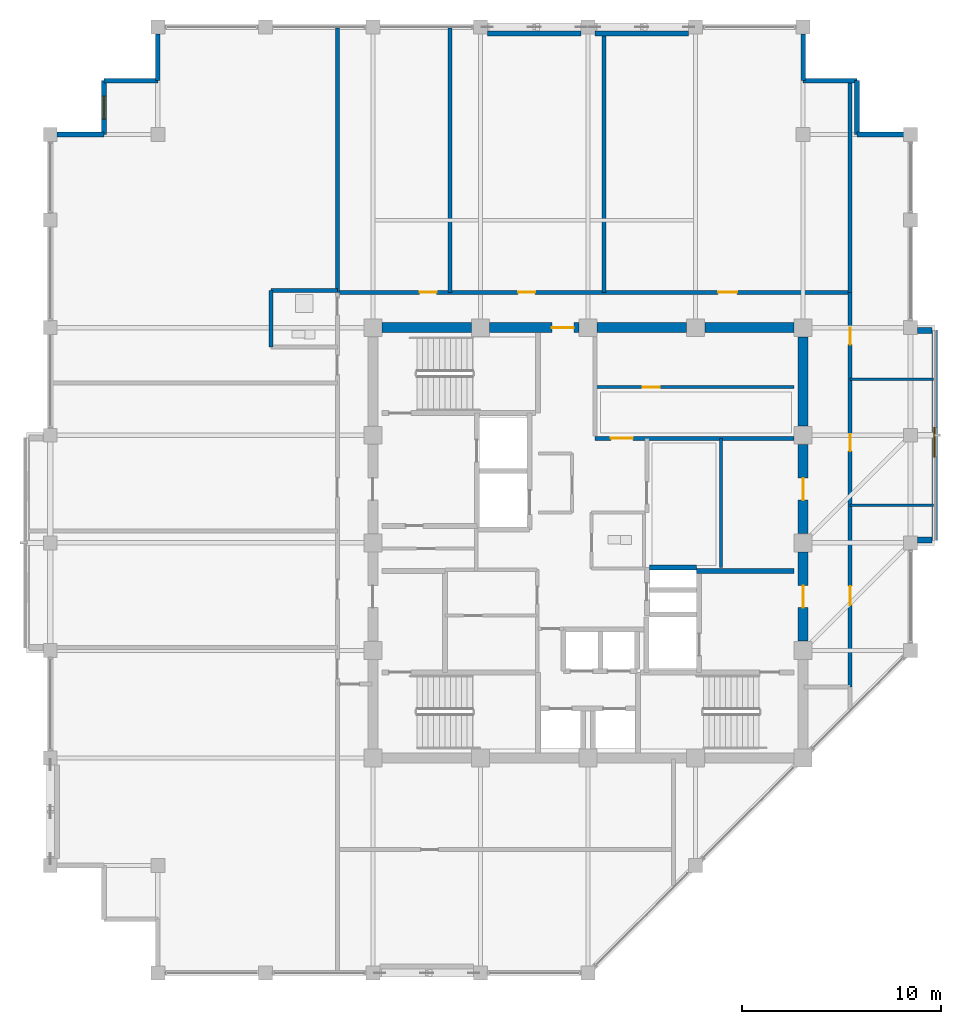
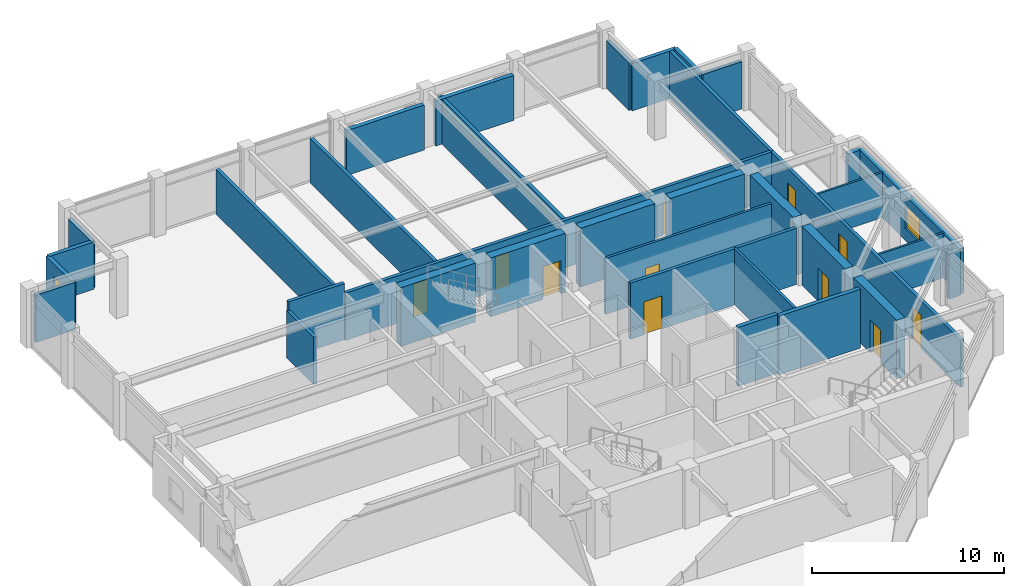
# One storey, part 25 of 29: 35 walls, 11 doors, 2 windows, 13 openings.
"""IFC4 building model written with IfcOpenShell, lengths in metres."""

from ifc_helpers import new_model, si_unit, direction, frame, frame_2d, origin, place, context, subcontext, project, spatial, rectangle, extrude, material, layer, layer_set, type_object, element, fill, save


model = new_model("IFC4")

# Units and contexts
model_context = context("Model", 3, precision=1e-05, world=origin(), true_north=direction((0.0, 1.0)))
body_context = subcontext(model_context, "Body", "Model", "MODEL_VIEW")
ifc_project = project(units=[si_unit("LENGTHUNIT", "METRE"), si_unit("AREAUNIT", "SQUARE_METRE"), si_unit("VOLUMEUNIT", "CUBIC_METRE"), si_unit("PLANEANGLEUNIT", "RADIAN"), si_unit("MASSUNIT", "GRAM", prefix="KILO")], contexts=[model_context])

# Site, building, storey
site_placement = place(None, origin())
site = spatial("IfcSite", under=ifc_project, at=site_placement, CompositionType="ELEMENT")
building_placement = place(site_placement, origin())
building = spatial("IfcBuilding", under=site, at=building_placement, Name="Surkhivell Harbour Commons", CompositionType="ELEMENT")
storey_placement = place(building_placement, frame((0.0, 0.0, 277.5)))
storey = spatial("IfcBuildingStorey", under=building, at=storey_placement, Name="L72", CompositionType="ELEMENT", Elevation=277.5)

# Wall
ifc_material_1 = material(Name="Concrete C50/60", Category="concrete")
ifc_layer_1 = layer(ifc_material_1, 0.5)
ifc_layer_set_1 = layer_set([ifc_layer_1], Name="Concrete C50/60")
wall_type_1 = type_object("IfcWallType", Name="WAL-CORE-500", PredefinedType="SHEAR", material=ifc_layer_set_1)
wall_1_placement = place(storey_placement, frame((-10.340087890625, 10.800048828125, 0.0), z_axis=(0.0, 0.0, 1.0), x_axis=(1.0, 0.0, 0.0)))
element("IfcWall", 1, at=wall_1_placement, inside=storey, type_object=wall_type_1, Name="L72 Core Shear Wall North 1", PredefinedType="SHEAR", context=body_context, shape_type="SweptSolid", body=[
    extrude(rectangle(XDim=4.47998046875, YDim=0.5, at=frame_2d((2.239990234375, 0.0))), origin(), (0.0, 0.0, 1.0), 3.75),
])

# Wall, opening, door
wall_2_placement = place(storey_placement, frame((-4.93994140625, 10.800048828125, 0.0), z_axis=(0.0, 0.0, 1.0), x_axis=(1.0, 0.0, 0.0)))
wall_2 = element("IfcWall", 2, at=wall_2_placement, inside=storey, type_object=wall_type_1, Name="L72 Core Shear Wall North 2", PredefinedType="SHEAR", context=body_context, shape_type="SweptSolid", body=[
    extrude(rectangle(XDim=4.47998046875, YDim=0.5, at=frame_2d((2.239990234375, 0.0))), origin(), (0.0, 0.0, 1.0), 3.75),
])
opening_1_placement = place(wall_2_placement, frame((3.1298828125, 0.0, 0.0)))
opening_1 = element("IfcOpeningElement", 3, at=opening_1_placement, cuts=wall_2, Name="Opening ID-2", PredefinedType="OPENING", context=body_context, shape_type="SweptSolid", body=[
    extrude(rectangle(XDim=1.10009765625, YDim=2.10009765625, at=frame_2d((0.550048828125, 1.050048828125))), frame((0.0, 0.260009765625, 0.0), z_axis=(0.0, -1.0, 0.0), x_axis=(1.0, 0.0, 0.0)), (0.0, 0.0, 1.0), 0.52001953125),
])
ifc_material_2 = material(Name="Hardwood-veneered fire-rated door leaf", Category="wood")
door_type_1 = type_object("IfcDoorType", Name="DOR-FD60-1100", OperationType="NOTDEFINED", PredefinedType="DOOR", material=ifc_material_2)
door_1_placement = place(opening_1_placement, origin())
door_1 = element("IfcDoor", 4, at=door_1_placement, inside=storey, type_object=door_type_1, Name="L72 Central Core Lift Hall North Corridor Door", OperationType="SINGLE_SWING_LEFT", OverallHeight=2.10009765625, OverallWidth=1.10009765625, PredefinedType="DOOR", context=body_context, shape_type="SweptSolid", body=[
    extrude(rectangle(XDim=1.10009765625, YDim=2.10009765625, at=frame_2d((0.550048828125, 1.050048828125))), frame((0.0, 0.02490234375, 0.0), z_axis=(0.0, -1.0, 0.0), x_axis=(1.0, 0.0, 0.0)), (0.0, 0.0, 1.0), 0.050048828125),
])
fill(opening_1, door_1)

wall_3_placement = place(storey_placement, frame((10.800048828125, -4.93994140625, 0.0), z_axis=(0.0, 0.0, 1.0), x_axis=(0.0, 1.0, 0.0)))
wall_3 = element("IfcWall", 5, at=wall_3_placement, inside=storey, type_object=wall_type_1, Name="L72 Core Shear Wall East 2", PredefinedType="SHEAR", context=body_context, shape_type="SweptSolid", body=[
    extrude(rectangle(XDim=4.47998046875, YDim=0.5, at=frame_2d((2.239990234375, 0.0))), origin(), (0.0, 0.0, 1.0), 3.75),
])
opening_2_placement = place(wall_3_placement, frame((1.68994140625, 0.0, 0.0)))
opening_2 = element("IfcOpeningElement", 6, at=opening_2_placement, cuts=wall_3, Name="Opening ID-1", PredefinedType="OPENING", context=body_context, shape_type="SweptSolid", body=[
    extrude(rectangle(XDim=1.10009765625, YDim=2.10009765625, at=frame_2d((0.550048828125, 1.050048828125))), frame((0.0, 0.260009765625, 0.0), z_axis=(0.0, -1.0, 0.0), x_axis=(1.0, 0.0, 0.0)), (0.0, 0.0, 1.0), 0.52001953125),
])
door_type_2 = type_object("IfcDoorType", Name="DOR-FD120-1100", OperationType="NOTDEFINED", PredefinedType="DOOR", material=ifc_material_2)
door_2_placement = place(opening_2_placement, origin())
door_2 = element("IfcDoor", 7, at=door_2_placement, inside=storey, type_object=door_type_2, Name="L72 Firefighting Lobby 2 Corridor Door", OperationType="SINGLE_SWING_RIGHT", OverallHeight=2.10009765625, OverallWidth=1.10009765625, PredefinedType="DOOR", context=body_context, shape_type="SweptSolid", body=[
    extrude(rectangle(XDim=1.10009765625, YDim=2.10009765625, at=frame_2d((0.550048828125, 1.050048828125))), frame((0.0, 0.02490234375, 0.0), z_axis=(0.0, -1.0, 0.0), x_axis=(1.0, 0.0, 0.0)), (0.0, 0.0, 1.0), 0.050048828125),
])
fill(opening_2, door_2)

# Wall
wall_4_placement = place(storey_placement, frame((0.4599609375, 10.800048828125, 0.0), z_axis=(0.0, 0.0, 1.0), x_axis=(1.0, 0.0, 0.0)))
element("IfcWall", 8, at=wall_4_placement, inside=storey, type_object=wall_type_1, Name="L72 Core Shear Wall North 3", PredefinedType="SHEAR", context=body_context, shape_type="SweptSolid", body=[
    extrude(rectangle(XDim=4.47998046875, YDim=0.5, at=frame_2d((2.239990234375, 0.0))), origin(), (0.0, 0.0, 1.0), 3.75),
])

# Wall, opening, door
wall_5_placement = place(storey_placement, frame((10.800048828125, 0.4599609375, 0.0), z_axis=(0.0, 0.0, 1.0), x_axis=(0.0, 1.0, 0.0)))
wall_5 = element("IfcWall", 9, at=wall_5_placement, inside=storey, type_object=wall_type_1, Name="L72 Core Shear Wall East 3", PredefinedType="SHEAR", context=body_context, shape_type="SweptSolid", body=[
    extrude(rectangle(XDim=4.47998046875, YDim=0.5, at=frame_2d((2.239990234375, 0.0))), origin(), (0.0, 0.0, 1.0), 3.75),
])
opening_3_placement = place(wall_5_placement, frame((1.68994140625, 0.0, 0.0)))
opening_3 = element("IfcOpeningElement", 10, at=opening_3_placement, cuts=wall_5, Name="Opening ID-2", PredefinedType="OPENING", context=body_context, shape_type="SweptSolid", body=[
    extrude(rectangle(XDim=1.10009765625, YDim=2.10009765625, at=frame_2d((0.550048828125, 1.050048828125))), frame((0.0, 0.260009765625, 0.0), z_axis=(0.0, -1.0, 0.0), x_axis=(1.0, 0.0, 0.0)), (0.0, 0.0, 1.0), 0.52001953125),
])
door_3_placement = place(opening_3_placement, origin())
door_3 = element("IfcDoor", 11, at=door_3_placement, inside=storey, type_object=door_type_1, Name="L72 Core Seminar East Door", OperationType="SINGLE_SWING_RIGHT", OverallHeight=2.10009765625, OverallWidth=1.10009765625, PredefinedType="DOOR", context=body_context, shape_type="SweptSolid", body=[
    extrude(rectangle(XDim=1.10009765625, YDim=2.10009765625, at=frame_2d((0.550048828125, 1.050048828125))), frame((0.0, 0.02490234375, 0.0), z_axis=(0.0, -1.0, 0.0), x_axis=(1.0, 0.0, 0.0)), (0.0, 0.0, 1.0), 0.050048828125),
])
fill(opening_3, door_3)

# Walls
for number, where, z_axis, x_axis, name in (
    (12, (5.860107421875, 10.800048828125, 0.0), (0.0, 0.0, 1.0), (1.0, 0.0, 0.0), "L72 Core Shear Wall North 4"),
    (13, (10.800048828125, 5.860107421875, 0.0), (0.0, 0.0, 1.0), (0.0, 1.0, 0.0), "L72 Core Shear Wall East 4"),
):
    element("IfcWall", number, at=place(storey_placement, frame(where, z_axis=z_axis, x_axis=x_axis)), inside=storey, type_object=wall_type_1, Name=name, PredefinedType="SHEAR", context=body_context, shape_type="SweptSolid", body=[
        extrude(rectangle(XDim=4.47998046875, YDim=0.5, at=frame_2d((2.239990234375, 0.0))), origin(), (0.0, 0.0, 1.0), 3.75),
    ])
ifc_material_3 = material(Name="Pale-metal insulated precast concrete C45/55", Category="concrete")
ifc_layer_2 = layer(ifc_material_3, 0.260009765625)
ifc_layer_set_2 = layer_set([ifc_layer_2], Name="Pale-metal insulated precast concrete C45/55")
wall_type_2 = type_object("IfcWallType", Name="WAL-EXT-MTL260", PredefinedType="STANDARD", material=ifc_layer_set_2)
for number, where, z_axis, x_axis, name in (
    (14, (-0.347900390625, 25.56494140625, 0.0), (0.0, 0.0, 1.0), (-1.0, 0.0, 0.0), "L72 Braced-Bay Insulated Spandrel Backing N"),
    (15, (5.052001953125, 25.56494140625, 0.0), (0.0, 0.0, 1.0), (-1.0, 0.0, 0.0), "L72 Braced-Bay Insulated Spandrel Backing N2"),
):
    element("IfcWall", number, at=place(storey_placement, frame(where, z_axis=z_axis, x_axis=x_axis)), inside=storey, type_object=wall_type_2, Name=name, PredefinedType="STANDARD", context=body_context, shape_type="SweptSolid", body=[
        extrude(rectangle(XDim=4.7041015625, YDim=0.260009765625, at=frame_2d((2.35205078125, 0.0))), origin(), (0.0, 0.0, 1.0), 2.85693359375),
    ])
ifc_material_4 = material(Name="Bronze-ochre cassette precast concrete C45/55", Category="concrete")
ifc_layer_3 = layer(ifc_material_4, 0.239990234375)
ifc_layer_set_3 = layer_set([ifc_layer_3], Name="Bronze-ochre cassette precast concrete C45/55")
wall_type_3 = type_object("IfcWallType", Name="WAL-EXT-OCH240", PredefinedType="STANDARD", material=ifc_layer_set_3)
wall_6_placement = place(storey_placement, frame((15.85205078125, 20.5, 0.0), z_axis=(0.0, 0.0, 1.0), x_axis=(-1.0, 0.0, 0.0)))
element("IfcWall", 16, at=wall_6_placement, inside=storey, type_object=wall_type_3, Name="L72 Serrated Corner Facade Wall 03", PredefinedType="STANDARD", context=body_context, shape_type="SweptSolid", body=[
    extrude(rectangle(XDim=2.35205078125, YDim=0.239990234375, at=frame_2d((1.176025390625, 0.0))), origin(), (0.0, 0.0, 1.0), 3.012939453125),
])
for number, where, z_axis, x_axis, name in (
    (17, (13.5, 20.5, 0.0), (0.0, 0.0, 1.0), (0.0, 1.0, 0.0), "L72 Serrated Corner Facade Wall 04"),
    (18, (13.5, 23.199951171875, 0.0), (0.0, 0.0, 1.0), (-1.0, 0.0, 0.0), "L72 Serrated Corner Facade Wall 05"),
):
    element("IfcWall", number, at=place(storey_placement, frame(where, z_axis=z_axis, x_axis=x_axis)), inside=storey, type_object=wall_type_3, Name=name, PredefinedType="STANDARD", context=body_context, shape_type="SweptSolid", body=[
        extrude(rectangle(XDim=2.699951171875, YDim=0.239990234375, at=frame_2d((1.35009765625, 0.0))), origin(), (0.0, 0.0, 1.0), 3.012939453125),
    ])
for number, where, z_axis, x_axis, name in (
    (19, (10.800048828125, 23.199951171875, 0.0), (0.0, 0.0, 1.0), (0.0, 1.0, 0.0), "L72 Serrated Corner Facade Wall 06"),
    (20, (-21.60009765625, 25.552001953125, 0.0), (0.0, 0.0, 1.0), (0.0, -1.0, 0.0), "L72 Serrated Corner Facade Wall 08"),
):
    element("IfcWall", number, at=place(storey_placement, frame(where, z_axis=z_axis, x_axis=x_axis)), inside=storey, type_object=wall_type_3, Name=name, PredefinedType="STANDARD", context=body_context, shape_type="SweptSolid", body=[
        extrude(rectangle(XDim=2.35205078125, YDim=0.239990234375, at=frame_2d((1.176025390625, 0.0))), origin(), (0.0, 0.0, 1.0), 3.012939453125),
    ])
wall_7_placement = place(storey_placement, frame((-21.60009765625, 23.199951171875, 0.0), z_axis=(0.0, 0.0, 1.0), x_axis=(-1.0, 0.0, 0.0)))
element("IfcWall", 21, at=wall_7_placement, inside=storey, type_object=wall_type_3, Name="L72 Serrated Corner Facade Wall 09", PredefinedType="STANDARD", context=body_context, shape_type="SweptSolid", body=[
    extrude(rectangle(XDim=2.699951171875, YDim=0.239990234375, at=frame_2d((1.35009765625, 0.0))), origin(), (0.0, 0.0, 1.0), 3.012939453125),
])

# Wall, opening, window
wall_8_placement = place(storey_placement, frame((-24.300048828125, 23.199951171875, 0.0), z_axis=(0.0, 0.0, 1.0), x_axis=(0.0, -1.0, 0.0)))
wall_8 = element("IfcWall", 22, at=wall_8_placement, inside=storey, type_object=wall_type_3, Name="L72 Serrated Corner Facade Wall 10", PredefinedType="STANDARD", context=body_context, shape_type="SweptSolid", body=[
    extrude(rectangle(XDim=2.699951171875, YDim=0.239990234375, at=frame_2d((1.35009765625, 0.0))), origin(), (0.0, 0.0, 1.0), 3.012939453125),
])
opening_4_placement = place(wall_8_placement, frame((0.77490234375, 0.0, 0.64990234375)))
opening_4 = element("IfcOpeningElement", 23, at=opening_4_placement, cuts=wall_8, Name="Opening WN-10", PredefinedType="OPENING", context=body_context, shape_type="SweptSolid", body=[
    extrude(rectangle(XDim=1.14990234375, YDim=1.550048828125, at=frame_2d((0.574951171875, 0.77490234375))), frame((0.0, 0.1298828125, 0.0), z_axis=(0.0, -1.0, 0.0), x_axis=(1.0, 0.0, 0.0)), (0.0, 0.0, 1.0), 0.260009765625),
])
ifc_material_5 = material(Name="Thermal-break aluminium frame and double low-E glazing", Category="aluminium")
window_type_1 = type_object("IfcWindowType", Name="WIN-SER-1150x1550", PartitioningType="SINGLE_PANEL", PredefinedType="WINDOW", material=ifc_material_5)
window_1_placement = place(opening_4_placement, origin())
window_1 = element("IfcWindow", 24, at=window_1_placement, inside=storey, type_object=window_type_1, Name="L72 Serrated Alcove Window 10", OverallHeight=1.550048828125, OverallWidth=1.14990234375, PartitioningType="SINGLE_PANEL", PredefinedType="WINDOW", context=body_context, shape_type="SweptSolid", body=[
    extrude(rectangle(XDim=1.14990234375, YDim=1.550048828125, at=frame_2d((0.574951171875, 0.77490234375))), frame((0.0, 0.030029296875, 0.0), z_axis=(0.0, -1.0, 0.0), x_axis=(1.0, 0.0, 0.0)), (0.0, 0.0, 1.0), 0.06005859375),
])
fill(opening_4, window_1)

# Wall
wall_9_placement = place(storey_placement, frame((-24.300048828125, 20.5, 0.0), z_axis=(0.0, 0.0, 1.0), x_axis=(-1.0, 0.0, 0.0)))
element("IfcWall", 25, at=wall_9_placement, inside=storey, type_object=wall_type_3, Name="L72 Serrated Corner Facade Wall 11", PredefinedType="STANDARD", context=body_context, shape_type="SweptSolid", body=[
    extrude(rectangle(XDim=2.35205078125, YDim=0.239990234375, at=frame_2d((1.176025390625, 0.0))), origin(), (0.0, 0.0, 1.0), 3.012939453125),
])

# Wall, opening, window
ifc_material_6 = material(Name="Terracotta-clad reinforced concrete C45/55", Category="masonry")
ifc_layer_4 = layer(ifc_material_6, 0.280029296875)
ifc_layer_set_4 = layer_set([ifc_layer_4], Name="Terracotta-clad reinforced concrete C45/55")
wall_type_4 = type_object("IfcWallType", Name="WAL-EXT-TER280", PredefinedType="STANDARD", material=ifc_layer_set_4)
wall_10_placement = place(storey_placement, frame((17.39990234375, 0.1201171875, 0.0), z_axis=(0.0, 0.0, 1.0), x_axis=(0.0, 1.0, 0.0)))
wall_10 = element("IfcWall", 26, at=wall_10_placement, inside=storey, type_object=wall_type_4, Name="L72 Coloured Box Front Wall 01", PredefinedType="STANDARD", context=body_context, shape_type="SweptSolid", body=[
    extrude(rectangle(XDim=10.559814453125, YDim=0.280029296875, at=frame_2d((5.27978515625, 0.0))), origin(), (0.0, 0.0, 1.0), 2.85693359375),
])
opening_5_placement = place(wall_10_placement, frame((4.179931640625, 0.0, 0.75)))
opening_5 = element("IfcOpeningElement", 27, at=opening_5_placement, cuts=wall_10, Name="Opening WN-13", PredefinedType="OPENING", context=body_context, shape_type="SweptSolid", body=[
    extrude(rectangle(XDim=1.5, YDim=1.5, at=frame_2d((0.75, 0.75))), frame((0.0, 0.14990234375, 0.0), z_axis=(0.0, -1.0, 0.0), x_axis=(1.0, 0.0, 0.0)), (0.0, 0.0, 1.0), 0.300048828125),
])
window_type_2 = type_object("IfcWindowType", Name="WIN-BOX-1500x1500", PartitioningType="SINGLE_PANEL", PredefinedType="WINDOW", material=ifc_material_5)
window_2_placement = place(opening_5_placement, origin())
window_2 = element("IfcWindow", 28, at=window_2_placement, inside=storey, type_object=window_type_2, Name="L72 Coloured Box Square Window 01-1", OverallHeight=1.5, OverallWidth=1.5, PartitioningType="SINGLE_PANEL", PredefinedType="WINDOW", context=body_context, shape_type="SweptSolid", body=[
    extrude(rectangle(XDim=1.5, YDim=1.5, at=frame_2d((0.75, 0.75))), frame((0.0, 0.030029296875, 0.0), z_axis=(0.0, -1.0, 0.0), x_axis=(1.0, 0.0, 0.0)), (0.0, 0.0, 1.0), 0.06005859375),
])
fill(opening_5, window_2)

# Walls
for number, where, z_axis, x_axis, name in (
    (29, (16.553955078125, 0.139892578125, 0.0), (0.0, 0.0, 1.0), (1.0, 0.0, 0.0), "L72 Coloured Box Return Wall 01S"),
    (30, (16.553955078125, 10.659912109375, 0.0), (0.0, 0.0, 1.0), (1.0, 0.0, 0.0), "L72 Coloured Box Return Wall 01N"),
):
    element("IfcWall", number, at=place(storey_placement, frame(where, z_axis=z_axis, x_axis=x_axis)), inside=storey, type_object=wall_type_4, Name=name, PredefinedType="STANDARD", context=body_context, shape_type="SweptSolid", body=[
        extrude(rectangle(XDim=0.7060546875, YDim=0.280029296875, at=frame_2d((0.35302734375, 0.0))), origin(), (0.0, 0.0, 1.0), 2.85693359375),
    ])
ifc_material_7 = material(Name="Moisture-resistant acoustic stud partition", Category="other")
ifc_layer_5 = layer(ifc_material_7, 0.125)
ifc_layer_set_5 = layer_set([ifc_layer_5], Name="Moisture-resistant acoustic stud partition")
wall_type_5 = type_object("IfcWallType", Name="WAL-INT-125", PredefinedType="PARTITIONING", material=ifc_layer_set_5)
for number, where, z_axis, x_axis, name in (
    (31, (13.159912109375, 1.8798828125, 0.0), (0.0, 0.0, 1.0), (1.0, 0.0, 0.0), "L72 East Partition P1"),
    (32, (13.159912109375, 8.219970703125, 0.0), (0.0, 0.0, 1.0), (1.0, 0.0, 0.0), "L72 East Partition P2"),
):
    element("IfcWall", number, at=place(storey_placement, frame(where, z_axis=z_axis, x_axis=x_axis)), inside=storey, type_object=wall_type_5, Name=name, PredefinedType="PARTITIONING", context=body_context, shape_type="SweptSolid", body=[
        extrude(rectangle(XDim=4.18017578125, YDim=0.125, at=frame_2d((2.090087890625, 0.0))), origin(), (0.0, 0.0, 1.0), 2.85693359375),
    ])

# Wall, opening, door
ifc_material_8 = material(Name="Twin-stud acoustic fireboard partition", Category="other")
ifc_layer_6 = layer(ifc_material_8, 0.14990234375)
ifc_layer_set_6 = layer_set([ifc_layer_6], Name="Twin-stud acoustic fireboard partition")
wall_type_6 = type_object("IfcWallType", Name="WAL-INT-150", PredefinedType="PARTITIONING", material=ifc_layer_set_6)
wall_11_placement = place(storey_placement, frame((0.35009765625, 7.820068359375, 0.0), z_axis=(0.0, 0.0, 1.0), x_axis=(1.0, 0.0, 0.0)))
wall_11 = element("IfcWall", 33, at=wall_11_placement, inside=storey, type_object=wall_type_6, Name="L72 Core Archive Partition", PredefinedType="PARTITIONING", context=body_context, shape_type="SweptSolid", body=[
    extrude(rectangle(XDim=9.989990234375, YDim=0.14990234375, at=frame_2d((4.9951171875, 0.0))), origin(), (0.0, 0.0, 1.0), 3.570068359375),
])
opening_6_placement = place(wall_11_placement, frame((2.39990234375, 0.0, 0.0)))
opening_6 = element("IfcOpeningElement", 34, at=opening_6_placement, cuts=wall_11, Name="Opening ID-6", PredefinedType="OPENING", context=body_context, shape_type="SweptSolid", body=[
    extrude(rectangle(XDim=0.85009765625, YDim=2.10009765625, at=frame_2d((0.425048828125, 1.050048828125))), frame((0.0, 0.0849609375, 0.0), z_axis=(0.0, -1.0, 0.0), x_axis=(1.0, 0.0, 0.0)), (0.0, 0.0, 1.0), 0.169921875),
])
door_type_3 = type_object("IfcDoorType", Name="DOR-FD30-850", OperationType="NOTDEFINED", PredefinedType="DOOR", material=ifc_material_2)
door_4_placement = place(opening_6_placement, origin())
door_4 = element("IfcDoor", 35, at=door_4_placement, inside=storey, type_object=door_type_3, Name="L72 Archive Room Door", OperationType="SINGLE_SWING_LEFT", OverallHeight=2.10009765625, OverallWidth=0.85009765625, PredefinedType="DOOR", context=body_context, shape_type="SweptSolid", body=[
    extrude(rectangle(XDim=0.85009765625, YDim=2.10009765625, at=frame_2d((0.425048828125, 1.050048828125))), frame((0.0, 0.02490234375, 0.0), z_axis=(0.0, -1.0, 0.0), x_axis=(1.0, 0.0, 0.0)), (0.0, 0.0, 1.0), 0.050048828125),
])
fill(opening_6, door_4)

# Wall
wall_12_placement = place(storey_placement, frame((6.679931640625, -1.25, 0.0), z_axis=(0.0, 0.0, 1.0), x_axis=(0.0, 1.0, 0.0)))
element("IfcWall", 36, at=wall_12_placement, inside=storey, type_object=wall_type_6, Name="L72 Seminar Room Wall", PredefinedType="PARTITIONING", context=body_context, shape_type="SweptSolid", body=[
    extrude(rectangle(XDim=6.489990234375, YDim=0.14990234375, at=frame_2d((3.2451171875, 0.0))), origin(), (0.0, 0.0, 1.0), 3.570068359375),
])

# Wall, opening, door
ifc_material_9 = material(Name="Autoclaved aerated concrete blockwork and fire plaster", Category="masonry")
ifc_layer_7 = layer(ifc_material_9, 0.199951171875)
ifc_layer_set_7 = layer_set([ifc_layer_7], Name="Autoclaved aerated concrete blockwork and fire plaster")
wall_type_7 = type_object("IfcWallType", Name="WAL-INT-200", PredefinedType="PARTITIONING", material=ifc_layer_set_7)
wall_13_placement = place(storey_placement, frame((0.35009765625, 5.239990234375, 0.0), z_axis=(0.0, 0.0, 1.0), x_axis=(1.0, 0.0, 0.0)))
wall_13 = element("IfcWall", 37, at=wall_13_placement, inside=storey, type_object=wall_type_7, Name="L72 Reclaimed Core North Bay South Wall", PredefinedType="PARTITIONING", context=body_context, shape_type="SweptSolid", body=[
    extrude(rectangle(XDim=9.989990234375, YDim=0.199951171875, at=frame_2d((4.9951171875, 0.0))), origin(), (0.0, 0.0, 1.0), 3.570068359375),
])
opening_7_placement = place(wall_13_placement, frame((0.800048828125, 0.0, 0.0)))
opening_7 = element("IfcOpeningElement", 38, at=opening_7_placement, cuts=wall_13, Name="Opening ID-2", PredefinedType="OPENING", context=body_context, shape_type="SweptSolid", body=[
    extrude(rectangle(XDim=1.10009765625, YDim=2.10009765625, at=frame_2d((0.550048828125, 1.050048828125))), frame((0.0, 0.10986328125, 0.0), z_axis=(0.0, -1.0, 0.0), x_axis=(1.0, 0.0, 0.0)), (0.0, 0.0, 1.0), 0.219970703125),
])
door_5_placement = place(opening_7_placement, origin())
door_5 = element("IfcDoor", 39, at=door_5_placement, inside=storey, type_object=door_type_1, Name="L72 Study Alcove Door", OperationType="SINGLE_SWING_RIGHT", OverallHeight=2.10009765625, OverallWidth=1.10009765625, PredefinedType="DOOR", context=body_context, shape_type="SweptSolid", body=[
    extrude(rectangle(XDim=1.10009765625, YDim=2.10009765625, at=frame_2d((0.550048828125, 1.050048828125))), frame((0.0, 0.02490234375, 0.0), z_axis=(0.0, -1.0, 0.0), x_axis=(1.0, 0.0, 0.0)), (0.0, 0.0, 1.0), 0.050048828125),
])
fill(opening_7, door_5)

# Walls
wall_14_placement = place(storey_placement, frame((13.159912109375, 12.580078125, 0.0), z_axis=(0.0, 0.0, 1.0), x_axis=(0.0, 1.0, 0.0)))
element("IfcWall", 40, at=wall_14_placement, inside=storey, type_object=wall_type_7, Name="L72 North-East Corner Wall", PredefinedType="PARTITIONING", context=body_context, shape_type="SweptSolid", body=[
    extrude(rectangle(XDim=10.559814453125, YDim=0.199951171875, at=frame_2d((5.27978515625, 0.0))), origin(), (0.0, 0.0, 1.0), 3.012939453125),
])
wall_15_placement = place(storey_placement, frame((-12.580078125, 12.580078125, 0.0), z_axis=(0.0, 0.0, 1.0), x_axis=(0.0, 1.0, 0.0)))
element("IfcWall", 41, at=wall_15_placement, inside=storey, type_object=wall_type_7, Name="L72 North-West Corner Wall", PredefinedType="PARTITIONING", context=body_context, shape_type="SweptSolid", body=[
    extrude(rectangle(XDim=13.260009765625, YDim=0.199951171875, at=frame_2d((6.6298828125, 0.0))), origin(), (0.0, 0.0, 1.0), 2.85693359375),
])

# Wall, openings, doors
wall_16_placement = place(storey_placement, frame((13.159912109375, -7.239990234375, 0.0), z_axis=(0.0, 0.0, 1.0), x_axis=(0.0, 1.0, 0.0)))
wall_16 = element("IfcWall", 42, at=wall_16_placement, inside=storey, type_object=wall_type_7, Name="L72 East Corridor Wall", PredefinedType="PARTITIONING", context=body_context, shape_type="SweptSolid", body=[
    extrude(rectangle(XDim=19.820068359375, YDim=0.199951171875, at=frame_2d((9.91015625, 0.0))), origin(), (0.0, 0.0, 1.0), 3.012939453125),
])
opening_8_placement = place(wall_16_placement, frame((4.110107421875, 0.0, 0.0)))
opening_8 = element("IfcOpeningElement", 43, at=opening_8_placement, cuts=wall_16, Name="Opening ID-4", PredefinedType="OPENING", context=body_context, shape_type="SweptSolid", body=[
    extrude(rectangle(XDim=0.949951171875, YDim=2.10009765625, at=frame_2d((0.47509765625, 1.050048828125))), frame((0.0, 0.10986328125, 0.0), z_axis=(0.0, -1.0, 0.0), x_axis=(1.0, 0.0, 0.0)), (0.0, 0.0, 1.0), 0.219970703125),
])
opening_9_placement = place(wall_16_placement, frame((11.840087890625, 0.0, 0.0)))
opening_9 = element("IfcOpeningElement", 44, at=opening_9_placement, cuts=wall_16, Name="Opening ID-6", PredefinedType="OPENING", context=body_context, shape_type="SweptSolid", body=[
    extrude(rectangle(XDim=0.85009765625, YDim=2.10009765625, at=frame_2d((0.425048828125, 1.050048828125))), frame((0.0, 0.10986328125, 0.0), z_axis=(0.0, -1.0, 0.0), x_axis=(1.0, 0.0, 0.0)), (0.0, 0.0, 1.0), 0.219970703125),
])
opening_10_placement = place(wall_16_placement, frame((17.18994140625, 0.0, 0.0)))
opening_10 = element("IfcOpeningElement", 45, at=opening_10_placement, cuts=wall_16, Name="Opening ID-6", PredefinedType="OPENING", context=body_context, shape_type="SweptSolid", body=[
    extrude(rectangle(XDim=0.85009765625, YDim=2.10009765625, at=frame_2d((0.425048828125, 1.050048828125))), frame((0.0, 0.10986328125, 0.0), z_axis=(0.0, -1.0, 0.0), x_axis=(1.0, 0.0, 0.0)), (0.0, 0.0, 1.0), 0.219970703125),
])
door_6_placement = place(opening_9_placement, origin())
door_6 = element("IfcDoor", 46, at=door_6_placement, inside=storey, type_object=door_type_3, Name="L72 Resident Social Lounge 2 East Door", OperationType="SINGLE_SWING_LEFT", OverallHeight=2.10009765625, OverallWidth=0.85009765625, PredefinedType="DOOR", context=body_context, shape_type="SweptSolid", body=[
    extrude(rectangle(XDim=0.85009765625, YDim=2.10009765625, at=frame_2d((0.425048828125, 1.050048828125))), frame((0.0, 0.02490234375, 0.0), z_axis=(0.0, -1.0, 0.0), x_axis=(1.0, 0.0, 0.0)), (0.0, 0.0, 1.0), 0.050048828125),
])
fill(opening_9, door_6)
door_7_placement = place(opening_10_placement, origin())
door_7 = element("IfcDoor", 47, at=door_7_placement, inside=storey, type_object=door_type_3, Name="L72 Resident Social Lounge 3 East Door", OperationType="SINGLE_SWING_RIGHT", OverallHeight=2.10009765625, OverallWidth=0.85009765625, PredefinedType="DOOR", context=body_context, shape_type="SweptSolid", body=[
    extrude(rectangle(XDim=0.85009765625, YDim=2.10009765625, at=frame_2d((0.425048828125, 1.050048828125))), frame((0.0, 0.02490234375, 0.0), z_axis=(0.0, -1.0, 0.0), x_axis=(1.0, 0.0, 0.0)), (0.0, 0.0, 1.0), 0.050048828125),
])
fill(opening_10, door_7)
door_type_4 = type_object("IfcDoorType", Name="DOR-FD60-950", OperationType="NOTDEFINED", PredefinedType="DOOR", material=ifc_material_2)
door_8_placement = place(opening_8_placement, origin())
door_8 = element("IfcDoor", 48, at=door_8_placement, inside=storey, type_object=door_type_4, Name="L72 Resident Social Lounge 1 East Door", OperationType="SINGLE_SWING_RIGHT", OverallHeight=2.10009765625, OverallWidth=0.949951171875, PredefinedType="DOOR", context=body_context, shape_type="SweptSolid", body=[
    extrude(rectangle(XDim=0.949951171875, YDim=2.10009765625, at=frame_2d((0.47509765625, 1.050048828125))), frame((0.0, 0.02490234375, 0.0), z_axis=(0.0, -1.0, 0.0), x_axis=(1.0, 0.0, 0.0)), (0.0, 0.0, 1.0), 0.050048828125),
])
fill(opening_8, door_8)

wall_17_placement = place(storey_placement, frame((-12.580078125, 12.580078125, 0.0), z_axis=(0.0, 0.0, 1.0), x_axis=(1.0, 0.0, 0.0)))
wall_17 = element("IfcWall", 49, at=wall_17_placement, inside=storey, type_object=wall_type_7, Name="L72 North Corridor Wall", PredefinedType="PARTITIONING", context=body_context, shape_type="SweptSolid", body=[
    extrude(rectangle(XDim=25.739990234375, YDim=0.199951171875, at=frame_2d((12.8701171875, 0.0))), origin(), (0.0, 0.0, 1.0), 3.012939453125),
])
opening_11_placement = place(wall_17_placement, frame((4.125244140625, 0.0, 0.0)))
opening_11 = element("IfcOpeningElement", 50, at=opening_11_placement, cuts=wall_17, Name="Opening ID-6", PredefinedType="OPENING", context=body_context, shape_type="SweptSolid", body=[
    extrude(rectangle(XDim=0.85009765625, YDim=2.10009765625, at=frame_2d((0.425048828125, 1.050048828125))), frame((0.0, 0.10986328125, 0.0), z_axis=(0.0, -1.0, 0.0), x_axis=(1.0, 0.0, 0.0)), (0.0, 0.0, 1.0), 0.219970703125),
])
opening_12_placement = place(wall_17_placement, frame((9.070068359375, 0.0, 0.0)))
opening_12 = element("IfcOpeningElement", 51, at=opening_12_placement, cuts=wall_17, Name="Opening ID-6", PredefinedType="OPENING", context=body_context, shape_type="SweptSolid", body=[
    extrude(rectangle(XDim=0.85009765625, YDim=2.10009765625, at=frame_2d((0.425048828125, 1.050048828125))), frame((0.0, 0.10986328125, 0.0), z_axis=(0.0, -1.0, 0.0), x_axis=(1.0, 0.0, 0.0)), (0.0, 0.0, 1.0), 0.219970703125),
])
opening_13_placement = place(wall_17_placement, frame((19.110107421875, 0.0, 0.0)))
opening_13 = element("IfcOpeningElement", 52, at=opening_13_placement, cuts=wall_17, Name="Opening ID-4", PredefinedType="OPENING", context=body_context, shape_type="SweptSolid", body=[
    extrude(rectangle(XDim=0.949951171875, YDim=2.10009765625, at=frame_2d((0.47509765625, 1.050048828125))), frame((0.0, 0.10986328125, 0.0), z_axis=(0.0, -1.0, 0.0), x_axis=(1.0, 0.0, 0.0)), (0.0, 0.0, 1.0), 0.219970703125),
])
door_9_placement = place(opening_11_placement, origin())
door_9 = element("IfcDoor", 53, at=door_9_placement, inside=storey, type_object=door_type_3, Name="L72 Co-Working Study Office 1 North Door", OperationType="SINGLE_SWING_LEFT", OverallHeight=2.10009765625, OverallWidth=0.85009765625, PredefinedType="DOOR", context=body_context, shape_type="SweptSolid", body=[
    extrude(rectangle(XDim=0.85009765625, YDim=2.10009765625, at=frame_2d((0.425048828125, 1.050048828125))), frame((0.0, 0.02490234375, 0.0), z_axis=(0.0, -1.0, 0.0), x_axis=(1.0, 0.0, 0.0)), (0.0, 0.0, 1.0), 0.050048828125),
])
fill(opening_11, door_9)
door_10_placement = place(opening_12_placement, origin())
door_10 = element("IfcDoor", 54, at=door_10_placement, inside=storey, type_object=door_type_3, Name="L72 Co-Working Study Office 2 North Door", OperationType="SINGLE_SWING_RIGHT", OverallHeight=2.10009765625, OverallWidth=0.85009765625, PredefinedType="DOOR", context=body_context, shape_type="SweptSolid", body=[
    extrude(rectangle(XDim=0.85009765625, YDim=2.10009765625, at=frame_2d((0.425048828125, 1.050048828125))), frame((0.0, 0.02490234375, 0.0), z_axis=(0.0, -1.0, 0.0), x_axis=(1.0, 0.0, 0.0)), (0.0, 0.0, 1.0), 0.050048828125),
])
fill(opening_12, door_10)
door_11_placement = place(opening_13_placement, origin())
door_11 = element("IfcDoor", 55, at=door_11_placement, inside=storey, type_object=door_type_4, Name="L72 Co-Working Study Office 3 North Door", OperationType="SINGLE_SWING_LEFT", OverallHeight=2.10009765625, OverallWidth=0.949951171875, PredefinedType="DOOR", context=body_context, shape_type="SweptSolid", body=[
    extrude(rectangle(XDim=0.949951171875, YDim=2.10009765625, at=frame_2d((0.47509765625, 1.050048828125))), frame((0.0, 0.02490234375, 0.0), z_axis=(0.0, -1.0, 0.0), x_axis=(1.0, 0.0, 0.0)), (0.0, 0.0, 1.0), 0.050048828125),
])
fill(opening_13, door_11)

# Walls
for number, where, z_axis, x_axis, name in (
    (56, (-6.919921875, 12.580078125, 0.0), (0.0, 0.0, 1.0), (0.0, 1.0, 0.0), "L72 North Partition P1"),
    (57, (0.800048828125, 12.580078125, 0.0), (0.0, 0.0, 1.0), (0.0, 1.0, 0.0), "L72 North Partition P2"),
):
    element("IfcWall", number, at=place(storey_placement, frame(where, z_axis=z_axis, x_axis=x_axis)), inside=storey, type_object=wall_type_7, Name=name, PredefinedType="PARTITIONING", context=body_context, shape_type="SweptSolid", body=[
        extrude(rectangle(XDim=13.260009765625, YDim=0.199951171875, at=frame_2d((6.6298828125, 0.0))), origin(), (0.0, 0.0, 1.0), 2.85693359375),
    ])
wall_18_placement = place(storey_placement, frame((-15.929931640625, 9.830078125, 0.0), z_axis=(0.0, 0.0, 1.0), x_axis=(0.0, 1.0, 0.0)))
element("IfcWall", 58, at=wall_18_placement, inside=storey, type_object=wall_type_7, Name="L72 West Partition BTHB", PredefinedType="PARTITIONING", context=body_context, shape_type="SweptSolid", body=[
    extrude(rectangle(XDim=2.849853515625, YDim=0.199951171875, at=frame_2d((1.4248046875, 0.0))), origin(), (0.0, 0.0, 1.0), 3.012939453125),
])
wall_19_placement = place(storey_placement, frame((-15.929931640625, 12.679931640625, 0.0), z_axis=(0.0, 0.0, 1.0), x_axis=(1.0, 0.0, 0.0)))
element("IfcWall", 59, at=wall_19_placement, inside=storey, type_object=wall_type_7, Name="L72 West Partition BTHN", PredefinedType="PARTITIONING", context=body_context, shape_type="SweptSolid", body=[
    extrude(rectangle(XDim=3.349853515625, YDim=0.199951171875, at=frame_2d((1.6748046875, 0.0))), origin(), (0.0, 0.0, 1.0), 3.570068359375),
])
ifc_layer_8 = layer(ifc_material_1, 0.25)
ifc_layer_set_8 = layer_set([ifc_layer_8], Name="Concrete C50/60")
wall_type_8 = type_object("IfcWallType", Name="WAL-SHAFT-250", PredefinedType="SHEAR", material=ifc_layer_set_8)
wall_20_placement = place(storey_placement, frame((5.43994140625, -1.419921875, 0.0), z_axis=(0.0, 0.0, 1.0), x_axis=(1.0, 0.0, 0.0)))
element("IfcWall", 60, at=wall_20_placement, inside=storey, type_object=wall_type_8, Name="L72 Firefighting Lobby 2 North Wall", PredefinedType="SHEAR", context=body_context, shape_type="SweptSolid", body=[
    extrude(rectangle(XDim=4.900146484375, YDim=0.25, at=frame_2d((2.4501953125, 0.0))), origin(), (0.0, 0.0, 1.0), 3.75),
])
wall_21_placement = place(storey_placement, frame((3.080078125, -1.25, 0.0), z_axis=(0.0, 0.0, 1.0), x_axis=(1.0, 0.0, 0.0)))
element("IfcWall", 61, at=wall_21_placement, inside=storey, type_object=wall_type_8, Name="L72 Riser North Wall", PredefinedType="SHEAR", context=body_context, shape_type="SweptSolid", body=[
    extrude(rectangle(XDim=2.369873046875, YDim=0.25, at=frame_2d((1.18505859375, 0.0))), origin(), (0.0, 0.0, 1.0), 3.75),
])

save(model, "model.ifc")
